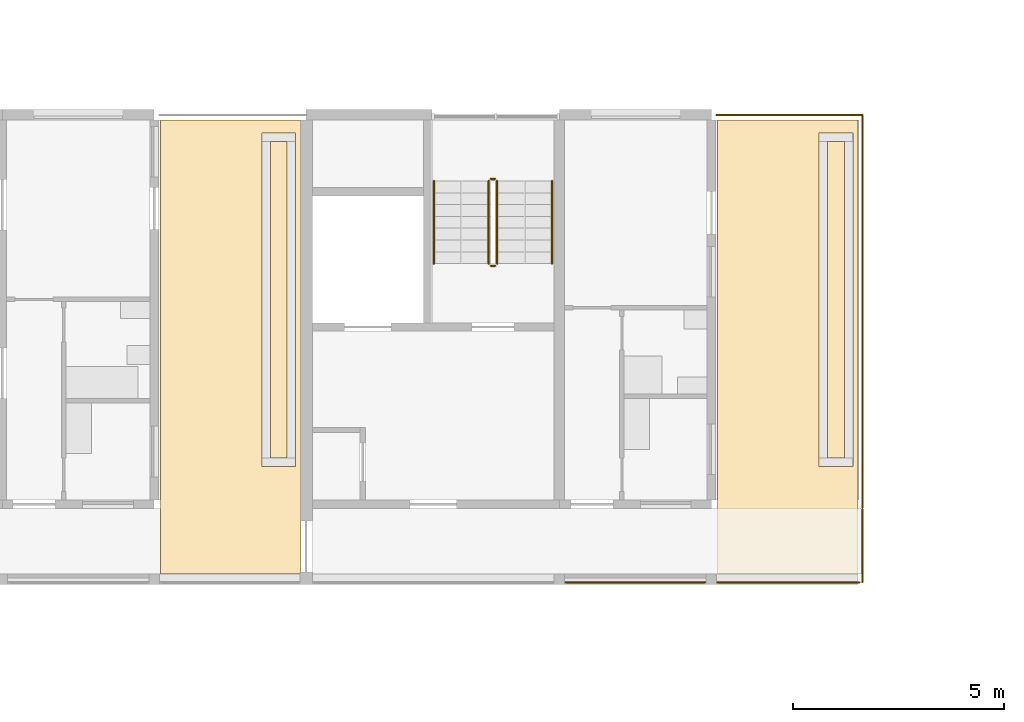
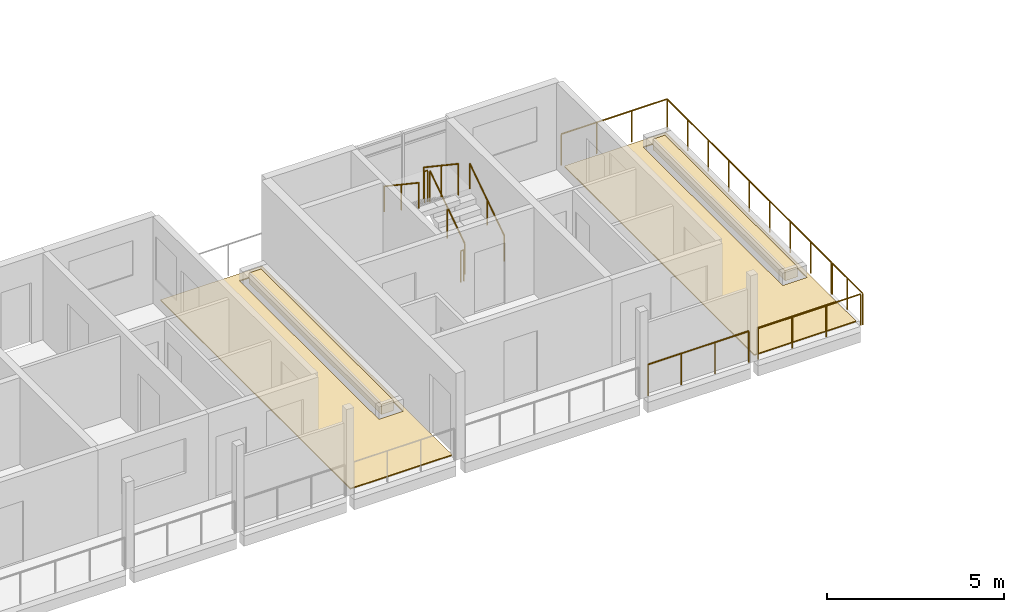
# One storey, part 81 of 94: 10 railings, 6 coverings.
"""IFC4 building model written with IfcOpenShell, lengths in metres."""

from ifc_helpers import new_model, si_unit, direction, frame, origin, origin_2d, place, context, subcontext, project, spatial, polyline, circle, outline, extrude, material, layer, layer_set, type_object, element, save


model = new_model("IFC4")

# Units and contexts
model_context = context("Model", 3, precision=1e-05, world=origin(), true_north=direction((0.0, 1.0)))
body_context = subcontext(model_context, "Body", "Model", "MODEL_VIEW")
ifc_project = project(units=[si_unit("LENGTHUNIT", "METRE"), si_unit("AREAUNIT", "SQUARE_METRE"), si_unit("VOLUMEUNIT", "CUBIC_METRE"), si_unit("PLANEANGLEUNIT", "RADIAN"), si_unit("MASSUNIT", "GRAM", prefix="KILO")], contexts=[model_context])

# Site, building, storey
site_placement = place(None, origin())
site = spatial("IfcSite", under=ifc_project, at=site_placement, CompositionType="ELEMENT")
building_placement = place(site_placement, origin())
building = spatial("IfcBuilding", under=site, at=building_placement, Name="Ridgestep Commons", CompositionType="ELEMENT")
storey_placement = place(building_placement, frame((0.0, 0.0, 21.0)))
storey = spatial("IfcBuildingStorey", under=building, at=storey_placement, Name="L07", CompositionType="ELEMENT", Elevation=21.0)

# Railings
ifc_material_1 = material(Name="Structural steel S355JR", Category="steel")
railing_type_1 = type_object("IfcRailingType", Name="Guard 1100", PredefinedType="GUARDRAIL", material=ifc_material_1)
railing_1_placement = place(storey_placement, frame((109.178955078125, 67.821044921875, 0.0)))
element("IfcRailing", 1, at=railing_1_placement, inside=storey, type_object=railing_type_1, Name="Guard TD-B6R2-GD", PredefinedType="GUARDRAIL", context=body_context, shape_type="SweptSolid", body=[
    extrude(circle(Radius=0.02392578125, at=origin_2d()), frame((0.0, 0.0, 1.076171875), z_axis=(0.0, 1.0, 0.0), x_axis=(-1.0, 0.0, 0.0)), (0.0, 0.0, 1.0), 9.303955078125),
    extrude(circle(Radius=0.02392578125, at=origin_2d()), frame((0.0, 9.303955078125, 1.076171875), z_axis=(-1.0, 0.0, 0.0), x_axis=(0.0, -1.0, 0.0)), (0.0, 0.0, 1.0), 3.4580078125),
    extrude(circle(Radius=0.02099609375, at=origin_2d()), origin(), (0.0, 0.0, 1.0), 1.052001953125),
    extrude(circle(Radius=0.02099609375, at=origin_2d()), frame((0.0, 1.1630859375, 0.0)), (0.0, 0.0, 1.0), 1.052001953125),
    extrude(circle(Radius=0.02099609375, at=origin_2d()), frame((0.0, 2.325927734375, 0.0)), (0.0, 0.0, 1.0), 1.052001953125),
    extrude(circle(Radius=0.02099609375, at=origin_2d()), frame((0.0, 3.489013671875, 0.0)), (0.0, 0.0, 1.0), 1.052001953125),
    extrude(circle(Radius=0.02099609375, at=origin_2d()), frame((0.0, 4.65185546875, 0.0)), (0.0, 0.0, 1.0), 1.052001953125),
    extrude(circle(Radius=0.02099609375, at=origin_2d()), frame((0.0, 5.81494140625, 0.0)), (0.0, 0.0, 1.0), 1.052001953125),
    extrude(circle(Radius=0.02099609375, at=origin_2d()), frame((0.0, 6.97802734375, 0.0)), (0.0, 0.0, 1.0), 1.052001953125),
    extrude(circle(Radius=0.02099609375, at=origin_2d()), frame((0.0, 8.140869140625, 0.0)), (0.0, 0.0, 1.0), 1.052001953125),
    extrude(circle(Radius=0.02099609375, at=origin_2d()), frame((0.0, 9.303955078125, 0.0)), (0.0, 0.0, 1.0), 1.052001953125),
    extrude(circle(Radius=0.02099609375, at=origin_2d()), frame((-1.152587890625, 9.303955078125, 0.0)), (0.0, 0.0, 1.0), 1.052001953125),
    extrude(circle(Radius=0.02099609375, at=origin_2d()), frame((-2.305419921875, 9.303955078125, 0.0)), (0.0, 0.0, 1.0), 1.052001953125),
    extrude(circle(Radius=0.02099609375, at=origin_2d()), frame((-3.4580078125, 9.303955078125, 0.0)), (0.0, 0.0, 1.0), 1.052001953125),
])
railing_2_placement = place(storey_placement, frame((102.14599609375, 66.050048828125, 0.0)))
element("IfcRailing", 2, at=railing_2_placement, inside=storey, type_object=railing_type_1, Name="Gallery guard B 07.10", PredefinedType="GUARDRAIL", context=body_context, shape_type="SweptSolid", body=[
    extrude(circle(Radius=0.02392578125, at=origin_2d()), frame((0.0, 0.0, 1.076171875), z_axis=(1.0, 0.0, 0.0), x_axis=(0.0, 1.0, 0.0)), (0.0, 0.0, 1.0), 3.30810546875),
    extrude(circle(Radius=0.02099609375, at=origin_2d()), origin(), (0.0, 0.0, 1.0), 1.052001953125),
    extrude(circle(Radius=0.02099609375, at=origin_2d()), frame((1.102783203125, 0.0, 0.0)), (0.0, 0.0, 1.0), 1.052001953125),
    extrude(circle(Radius=0.02099609375, at=origin_2d()), frame((2.205322265625, 0.0, 0.0)), (0.0, 0.0, 1.0), 1.052001953125),
    extrude(circle(Radius=0.02099609375, at=origin_2d()), frame((3.30810546875, 0.0, 0.0)), (0.0, 0.0, 1.0), 1.052001953125),
])
railing_3_placement = place(storey_placement, frame((105.74609375, 66.050048828125, 0.0)))
element("IfcRailing", 3, at=railing_3_placement, inside=storey, type_object=railing_type_1, Name="Gallery guard B 07.11", PredefinedType="GUARDRAIL", context=body_context, shape_type="SweptSolid", body=[
    extrude(circle(Radius=0.02392578125, at=origin_2d()), frame((0.0, 0.0, 1.076171875), z_axis=(1.0, 0.0, 0.0), x_axis=(0.0, 1.0, 0.0)), (0.0, 0.0, 1.0), 3.369873046875),
    extrude(circle(Radius=0.02099609375, at=origin_2d()), origin(), (0.0, 0.0, 1.0), 1.052001953125),
    extrude(circle(Radius=0.02099609375, at=origin_2d()), frame((1.123291015625, 0.0, 0.0)), (0.0, 0.0, 1.0), 1.052001953125),
    extrude(circle(Radius=0.02099609375, at=origin_2d()), frame((2.24658203125, 0.0, 0.0)), (0.0, 0.0, 1.0), 1.052001953125),
    extrude(circle(Radius=0.02099609375, at=origin_2d()), frame((3.369873046875, 0.0, 0.0)), (0.0, 0.0, 1.0), 1.052001953125),
])
railing_4_placement = place(storey_placement, frame((109.178955078125, 66.050048828125, 0.0)))
element("IfcRailing", 4, at=railing_4_placement, inside=storey, type_object=railing_type_1, Name="Gallery end guard B 07.11E", PredefinedType="GUARDRAIL", context=body_context, shape_type="SweptSolid", body=[
    extrude(circle(Radius=0.02392578125, at=origin_2d()), frame((0.0, 0.0, 1.076171875), z_axis=(0.0, 1.0, 0.0), x_axis=(-1.0, 0.0, 0.0)), (0.0, 0.0, 1.0), 1.72900390625),
    extrude(circle(Radius=0.02099609375, at=origin_2d()), origin(), (0.0, 0.0, 1.0), 1.052001953125),
    extrude(circle(Radius=0.02099609375, at=origin_2d()), frame((0.0, 0.864501953125, 0.0)), (0.0, 0.0, 1.0), 1.052001953125),
    extrude(circle(Radius=0.02099609375, at=origin_2d()), frame((0.0, 1.72900390625, 0.0)), (0.0, 0.0, 1.0), 1.052001953125),
])

# Coverings
ifc_material_2 = material(Name="Planting soil")
ifc_layer_1 = layer(ifc_material_2, 0.35009765625)
ifc_layer_set_1 = layer_set([ifc_layer_1], Name="Planting soil 350")
covering_type_1 = type_object("IfcCoveringType", Name="Planting soil 350", PredefinedType="FLOORING", material=ifc_layer_set_1)
covering_1_placement = place(storey_placement, frame((0.0, 0.0, 0.010009765625)))
element("IfcCovering", 5, at=covering_1_placement, inside=storey, type_object=covering_type_1, Name="Planting soil B5R1", PredefinedType="FLOORING", context=body_context, shape_type="SweptSolid", body=[
    extrude(outline(polyline([(95.14990234375, 69.0), (95.550048828125, 69.0), (95.550048828125, 76.5), (95.14990234375, 76.5), (95.14990234375, 69.0)])), origin(), (0.0, 0.0, 1.0), 0.35009765625),
])
covering_2_placement = place(storey_placement, frame((0.0, 0.0, 0.010009765625)))
element("IfcCovering", 6, at=covering_2_placement, inside=storey, type_object=covering_type_1, Name="Planting soil B6R2", PredefinedType="FLOORING", context=body_context, shape_type="SweptSolid", body=[
    extrude(outline(polyline([(108.35009765625, 69.0), (108.75, 69.0), (108.75, 76.5), (108.35009765625, 76.5), (108.35009765625, 69.0)])), origin(), (0.0, 0.0, 1.0), 0.35009765625),
])

# Railings
ifc_material_3 = material(Name="Structural steel S355JR", Category="steel")
railing_type_2 = type_object("IfcRailingType", Name="Stair guard 1100", PredefinedType="GUARDRAIL", material=ifc_material_3)
railing_5_placement = place(storey_placement, frame((100.52490234375, 73.60009765625, 0.1875)))
element("IfcRailing", 7, at=railing_5_placement, inside=storey, type_object=railing_type_2, Name="L07 B6C stair guard 1", PredefinedType="GUARDRAIL", context=body_context, shape_type="SweptSolid", body=[
    extrude(circle(Radius=0.02392578125, at=origin_2d()), frame((0.0, 0.0, 1.076171875), z_axis=(0.0, 0.830902050051, 0.556418712142), x_axis=(-1.0, 0.0, 0.0)), (0.0, 0.0, 1.0), 2.35888671875),
    extrude(circle(Radius=0.02099609375, at=origin_2d()), origin(), (0.0, 0.0, 1.0), 1.052001953125),
    extrude(circle(Radius=0.02099609375, at=origin_2d()), frame((0.0, 0.97998046875, 0.65625)), (0.0, 0.0, 1.0), 1.052001953125),
    extrude(circle(Radius=0.02099609375, at=origin_2d()), frame((0.0, 1.9599609375, 1.3125)), (0.0, 0.0, 1.0), 1.052001953125),
])
railing_6_placement = place(storey_placement, frame((100.47509765625, 75.610107421875, 1.5)))
element("IfcRailing", 8, at=railing_6_placement, inside=storey, type_object=railing_type_2, Name="L07 B6C stair guard 2", PredefinedType="GUARDRAIL", context=body_context, shape_type="SweptSolid", body=[
    extrude(circle(Radius=0.02392578125, at=origin_2d()), frame((0.0, 0.0, 1.076171875), z_axis=(-1.0, 0.0, 0.0), x_axis=(0.0, -1.0, 0.0)), (0.0, 0.0, 1.0), 0.10009765625),
    extrude(circle(Radius=0.02099609375, at=origin_2d()), origin(), (0.0, 0.0, 1.0), 1.052001953125),
    extrude(circle(Radius=0.02099609375, at=origin_2d()), frame((-0.10009765625, 0.0, 0.0)), (0.0, 0.0, 1.0), 1.052001953125),
])
railing_7_placement = place(storey_placement, frame((100.324951171875, 75.56005859375, 1.6875)))
element("IfcRailing", 9, at=railing_7_placement, inside=storey, type_object=railing_type_2, Name="L07 B6C stair guard 3", PredefinedType="GUARDRAIL", context=body_context, shape_type="SweptSolid", body=[
    extrude(circle(Radius=0.02392578125, at=origin_2d()), frame((0.0, 0.0, 1.076171875), z_axis=(0.0, -0.830902050051, 0.556418712142), x_axis=(1.0, 0.0, 0.0)), (0.0, 0.0, 1.0), 2.35888671875),
    extrude(circle(Radius=0.02099609375, at=origin_2d()), origin(), (0.0, 0.0, 1.0), 1.052001953125),
    extrude(circle(Radius=0.02099609375, at=origin_2d()), frame((0.0, -0.97998046875, 0.65625)), (0.0, 0.0, 1.0), 1.052001953125),
    extrude(circle(Radius=0.02099609375, at=origin_2d()), frame((0.0, -1.9599609375, 1.3125)), (0.0, 0.0, 1.0), 1.052001953125),
])
railing_8_placement = place(storey_placement, frame((100.47509765625, 73.550048828125, 0.0)))
element("IfcRailing", 10, at=railing_8_placement, inside=storey, type_object=railing_type_2, Name="L07 B6C stair guard 4", PredefinedType="GUARDRAIL", context=body_context, shape_type="SweptSolid", body=[
    extrude(circle(Radius=0.02392578125, at=origin_2d()), frame((0.0, 0.0, 1.076171875), z_axis=(-1.0, 0.0, 0.0), x_axis=(0.0, -1.0, 0.0)), (0.0, 0.0, 1.0), 0.10009765625),
    extrude(circle(Radius=0.02099609375, at=origin_2d()), origin(), (0.0, 0.0, 1.0), 1.052001953125),
    extrude(circle(Radius=0.02099609375, at=origin_2d()), frame((-0.10009765625, 0.0, 0.0)), (0.0, 0.0, 1.0), 1.052001953125),
])
ifc_material_4 = material(Name="Structural steel S355JR", Category="steel")
railing_type_3 = type_object("IfcRailingType", Name="Stair handrail 900", PredefinedType="HANDRAIL", material=ifc_material_4)
railing_9_placement = place(storey_placement, frame((101.824951171875, 73.60009765625, 0.1875)))
element("IfcRailing", 11, at=railing_9_placement, inside=storey, type_object=railing_type_3, Name="L07 B6C stair handrail 1", PredefinedType="HANDRAIL", context=body_context, shape_type="SweptSolid", body=[
    extrude(circle(Radius=0.02392578125, at=origin_2d()), frame((0.0, 0.0, 0.8759765625), z_axis=(0.0, 0.830902050051, 0.556418712142), x_axis=(-1.0, 0.0, 0.0)), (0.0, 0.0, 1.0), 2.35888671875),
    extrude(circle(Radius=0.02099609375, at=origin_2d()), origin(), (0.0, 0.0, 1.0), 0.851806640625),
    extrude(circle(Radius=0.02099609375, at=origin_2d()), frame((0.0, 0.97998046875, 0.65625)), (0.0, 0.0, 1.0), 0.851806640625),
    extrude(circle(Radius=0.02099609375, at=origin_2d()), frame((0.0, 1.9599609375, 1.3125)), (0.0, 0.0, 1.0), 0.851806640625),
])
railing_10_placement = place(storey_placement, frame((99.02490234375, 75.56005859375, 1.6875)))
element("IfcRailing", 12, at=railing_10_placement, inside=storey, type_object=railing_type_3, Name="L07 B6C stair handrail 2", PredefinedType="HANDRAIL", context=body_context, shape_type="SweptSolid", body=[
    extrude(circle(Radius=0.02392578125, at=origin_2d()), frame((0.0, 0.0, 0.8759765625), z_axis=(0.0, -0.830902050051, 0.556418712142), x_axis=(1.0, 0.0, 0.0)), (0.0, 0.0, 1.0), 2.35888671875),
    extrude(circle(Radius=0.02099609375, at=origin_2d()), origin(), (0.0, 0.0, 1.0), 0.851806640625),
    extrude(circle(Radius=0.02099609375, at=origin_2d()), frame((0.0, -0.97998046875, 0.65625)), (0.0, 0.0, 1.0), 0.851806640625),
    extrude(circle(Radius=0.02099609375, at=origin_2d()), frame((0.0, -1.9599609375, 1.3125)), (0.0, 0.0, 1.0), 0.851806640625),
])

# Coverings
ifc_material_5 = material(Name="Bitumen membrane, two layer")
ifc_layer_2 = layer(ifc_material_5, 0.010009765625)
ifc_layer_set_2 = layer_set([ifc_layer_2], Name="Terrace membrane 10")
covering_type_2 = type_object("IfcCoveringType", Name="Terrace membrane 10", PredefinedType="ROOFING", material=ifc_layer_set_2)
covering_3_placement = place(storey_placement, origin())
element("IfcCovering", 13, at=covering_3_placement, inside=storey, type_object=covering_type_2, Name="Terrace membrane B5R1", PredefinedType="ROOFING", context=body_context, shape_type="SweptSolid", body=[
    extrude(outline(polyline([(95.875, 66.25), (95.875, 77.0), (92.550048828125, 77.0), (92.550048828125, 66.25), (95.875, 66.25)]), holes=[polyline([(95.75, 68.800048828125), (95.75, 76.699951171875), (94.949951171875, 76.699951171875), (94.949951171875, 68.800048828125), (95.75, 68.800048828125)])]), origin(), (0.0, 0.0, 1.0), 0.010009765625),
])
covering_4_placement = place(storey_placement, origin())
element("IfcCovering", 14, at=covering_4_placement, inside=storey, type_object=covering_type_2, Name="Terrace membrane B6R2", PredefinedType="ROOFING", context=body_context, shape_type="SweptSolid", body=[
    extrude(outline(polyline([(109.074951171875, 66.25), (109.074951171875, 77.0), (105.75, 77.0), (105.75, 66.25), (109.074951171875, 66.25)]), holes=[polyline([(108.949951171875, 68.800048828125), (108.949951171875, 76.699951171875), (108.14990234375, 76.699951171875), (108.14990234375, 68.800048828125), (108.949951171875, 68.800048828125)])]), origin(), (0.0, 0.0, 1.0), 0.010009765625),
])
ifc_material_6 = material(Name="Concrete paving slab", Category="concrete")
ifc_layer_3 = layer(ifc_material_6, 0.030029296875)
ifc_layer_set_3 = layer_set([ifc_layer_3], Name="Terrace paving 30")
covering_type_3 = type_object("IfcCoveringType", Name="Terrace paving 30", PredefinedType="FLOORING", material=ifc_layer_set_3)
covering_5_placement = place(storey_placement, frame((0.0, 0.0, 0.010009765625)))
element("IfcCovering", 15, at=covering_5_placement, inside=storey, type_object=covering_type_3, Name="Terrace paving B5R1", PredefinedType="FLOORING", context=body_context, shape_type="SweptSolid", body=[
    extrude(outline(polyline([(95.875, 66.25), (95.875, 77.0), (92.550048828125, 77.0), (92.550048828125, 66.25), (95.875, 66.25)]), holes=[polyline([(95.75, 68.800048828125), (95.75, 76.699951171875), (94.949951171875, 76.699951171875), (94.949951171875, 68.800048828125), (95.75, 68.800048828125)])]), origin(), (0.0, 0.0, 1.0), 0.030029296875),
])
covering_6_placement = place(storey_placement, frame((0.0, 0.0, 0.010009765625)))
element("IfcCovering", 16, at=covering_6_placement, inside=storey, type_object=covering_type_3, Name="Terrace paving B6R2", PredefinedType="FLOORING", context=body_context, shape_type="SweptSolid", body=[
    extrude(outline(polyline([(109.074951171875, 66.25), (109.074951171875, 77.0), (105.75, 77.0), (105.75, 66.25), (109.074951171875, 66.25)]), holes=[polyline([(108.949951171875, 68.800048828125), (108.949951171875, 76.699951171875), (108.14990234375, 76.699951171875), (108.14990234375, 68.800048828125), (108.949951171875, 68.800048828125)])]), origin(), (0.0, 0.0, 1.0), 0.030029296875),
])

save(model, "model.ifc")
